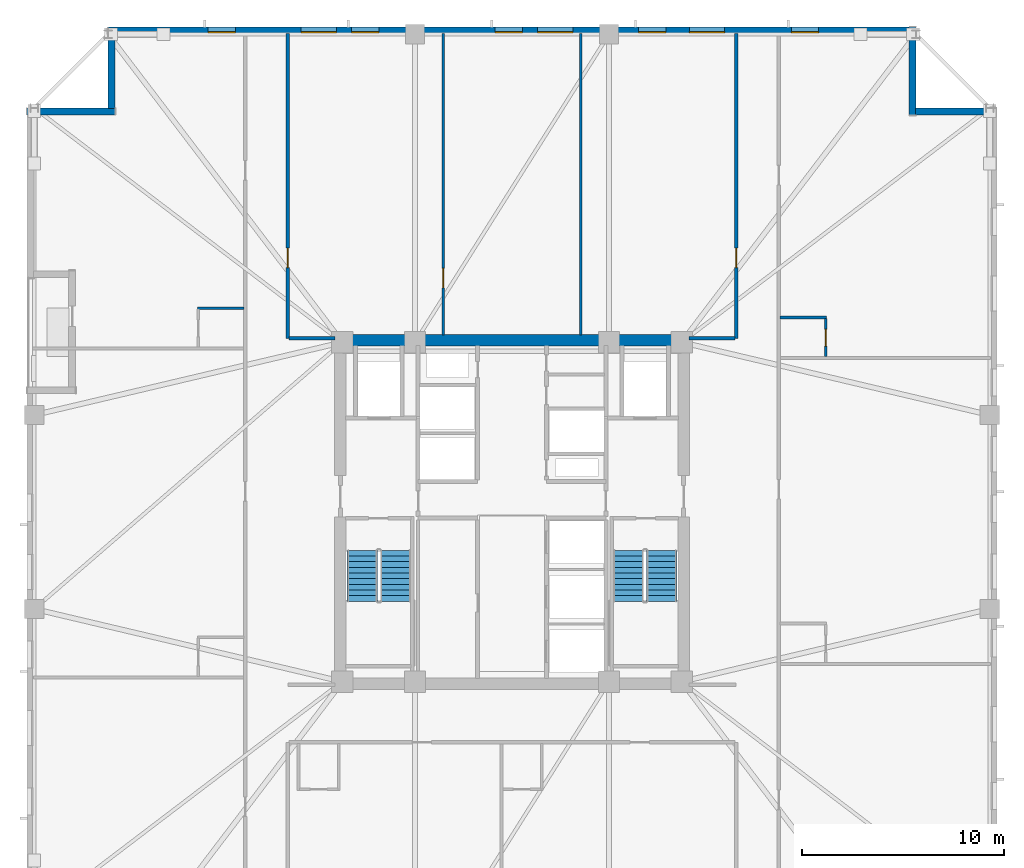
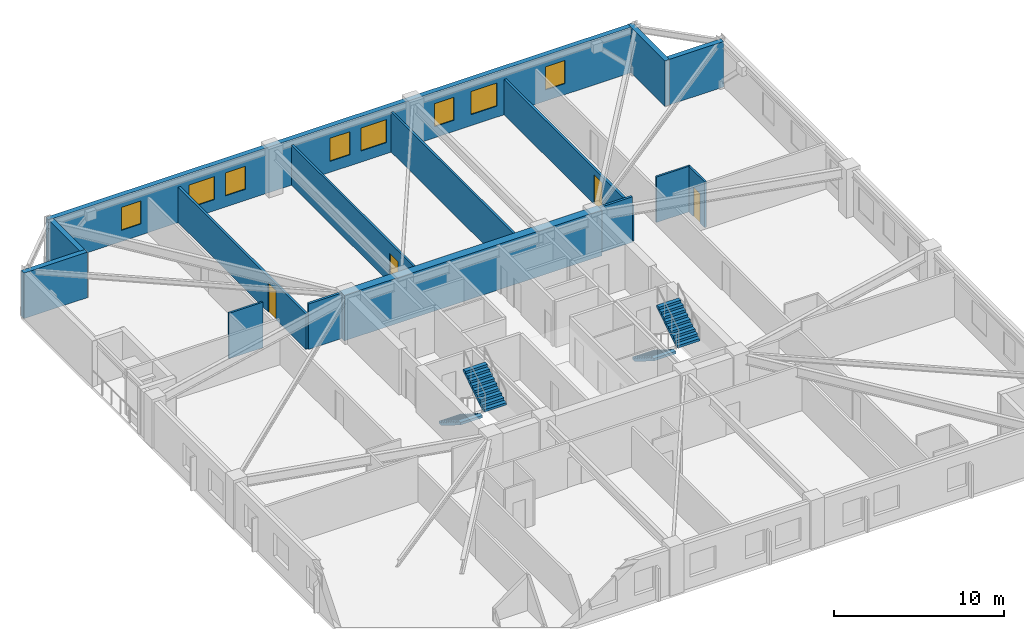
# One storey, part 5 of 10: 15 walls, 8 windows, 4 doors, 4 stair flights, 12 openings, 2 elements without a shape of their own.
"""IFC4 building model written with IfcOpenShell, lengths in metres."""

from ifc_helpers import new_model, si_unit, direction, frame, frame_2d, origin, place, context, subcontext, project, spatial, polyline, rectangle, outline, extrude, material, layer, layer_set, type_object, element, fill, aggregate, save


model = new_model("IFC4")

# Units and contexts
model_context = context("Model", 3, precision=1e-05, world=origin(), true_north=direction((0.0, 1.0)))
body_context = subcontext(model_context, "Body", "Model", "MODEL_VIEW")
ifc_project = project(units=[si_unit("LENGTHUNIT", "METRE"), si_unit("AREAUNIT", "SQUARE_METRE"), si_unit("VOLUMEUNIT", "CUBIC_METRE"), si_unit("PLANEANGLEUNIT", "RADIAN"), si_unit("MASSUNIT", "GRAM", prefix="KILO")], contexts=[model_context])

# Site, building, storey
site_placement = place(None, origin())
site = spatial("IfcSite", under=ifc_project, at=site_placement, CompositionType="ELEMENT")
building_placement = place(site_placement, origin())
building = spatial("IfcBuilding", under=site, at=building_placement, Name="Cairnveth Concourse Tower", CompositionType="ELEMENT")
storey_placement = place(building_placement, frame((0.0, 0.0, 113.0)))
storey = spatial("IfcBuildingStorey", under=building, at=storey_placement, Name="L30", CompositionType="ELEMENT", Elevation=113.0)

# Wall, opening, door
ifc_material_1 = material(Name="Gypsum Plasterboard Partition", Category="gypsum")
ifc_layer_1 = layer(ifc_material_1, 0.159912109375)
ifc_layer_set_1 = layer_set([ifc_layer_1], Name="Gypsum Plasterboard Partition")
wall_type_1 = type_object("IfcWallType", Name="ACOUSTIC PARTY WALL 180", PredefinedType="PARTITIONING", material=ifc_layer_set_1)
wall_1_placement = place(storey_placement, frame((40.89990234375, 47.60009765625, 0.0), z_axis=(0.0, 0.0, 1.0), x_axis=(0.0, 1.0, 0.0)))
wall_1 = element("IfcWall", 1, at=wall_1_placement, inside=storey, type_object=wall_type_1, Name="Interior Wall IW-L30-038", PredefinedType="PARTITIONING", context=body_context, shape_type="SweptSolid", body=[
    extrude(rectangle(XDim=15.074951171875, YDim=0.159912109375, at=frame_2d((7.53759765625, 0.0))), origin(), (0.0, 0.0, 1.0), 2.554931640625),
])
opening_1_placement = place(wall_1_placement, frame((3.5, 0.0, 0.0)))
opening_1 = element("IfcOpeningElement", 2, at=opening_1_placement, cuts=wall_1, Name="Opening ID11", PredefinedType="OPENING", context=body_context, shape_type="SweptSolid", body=[
    extrude(rectangle(XDim=0.9599609375, YDim=2.1201171875, at=frame_2d((0.47998046875, 1.06005859375))), frame((0.0, 0.08984375, 0.0), z_axis=(0.0, -1.0, 0.0), x_axis=(1.0, 0.0, 0.0)), (0.0, 0.0, 1.0), 0.179931640625),
])
ifc_material_2 = material(Name="Solid Core Hardwood Timber Leaf", Category="wood")
door_type_1 = type_object("IfcDoorType", Name="INTERIOR SINGLE DOOR 960X2150", OperationType="NOTDEFINED", PredefinedType="DOOR", material=ifc_material_2)
door_1_placement = place(opening_1_placement, origin())
door_1 = element("IfcDoor", 3, at=door_1_placement, inside=storey, type_object=door_type_1, Name="Interior Door DR-L30-015", OperationType="SINGLE_SWING_LEFT", OverallHeight=2.1201171875, OverallWidth=0.9599609375, PredefinedType="DOOR", context=body_context, shape_type="SweptSolid", body=[
    extrude(rectangle(XDim=0.9599609375, YDim=2.1201171875, at=frame_2d((0.47998046875, 1.06005859375))), frame((0.0, 0.02490234375, 0.0), z_axis=(0.0, -1.0, 0.0), x_axis=(1.0, 0.0, 0.0)), (0.0, 0.0, 1.0), 0.050048828125),
])
fill(opening_1, door_1)

# Wall
wall_2_placement = place(storey_placement, frame((40.965087890625, 47.60009765625, 0.0), z_axis=(0.0, 0.0, 1.0), x_axis=(1.0, 0.0, 0.0)))
element("IfcWall", 4, at=wall_2_placement, inside=storey, type_object=wall_type_1, Name="Interior Wall IW-L30-040", PredefinedType="PARTITIONING", context=body_context, shape_type="SweptSolid", body=[
    extrude(rectangle(XDim=2.27001953125, YDim=0.159912109375, at=frame_2d((1.135009765625, 0.0))), origin(), (0.0, 0.0, 1.0), 3.280029296875),
])

# Wall, opening, door
wall_3_placement = place(storey_placement, frame((63.10009765625, 47.60009765625, 0.0), z_axis=(0.0, 0.0, 1.0), x_axis=(0.0, 1.0, 0.0)))
wall_3 = element("IfcWall", 5, at=wall_3_placement, inside=storey, type_object=wall_type_1, Name="Interior Wall IW-L30-043", PredefinedType="PARTITIONING", context=body_context, shape_type="SweptSolid", body=[
    extrude(rectangle(XDim=15.074951171875, YDim=0.159912109375, at=frame_2d((7.53759765625, 0.0))), origin(), (0.0, 0.0, 1.0), 2.554931640625),
])
opening_2_placement = place(wall_3_placement, frame((3.5, 0.0, 0.0)))
opening_2 = element("IfcOpeningElement", 6, at=opening_2_placement, cuts=wall_3, Name="Opening ID11", PredefinedType="OPENING", context=body_context, shape_type="SweptSolid", body=[
    extrude(rectangle(XDim=0.9599609375, YDim=2.1201171875, at=frame_2d((0.47998046875, 1.06005859375))), frame((0.0, 0.08984375, 0.0), z_axis=(0.0, -1.0, 0.0), x_axis=(1.0, 0.0, 0.0)), (0.0, 0.0, 1.0), 0.179931640625),
])
door_2_placement = place(opening_2_placement, origin())
door_2 = element("IfcDoor", 7, at=door_2_placement, inside=storey, type_object=door_type_1, Name="Interior Door DR-L30-016", OperationType="SINGLE_SWING_RIGHT", OverallHeight=2.1201171875, OverallWidth=0.9599609375, PredefinedType="DOOR", context=body_context, shape_type="SweptSolid", body=[
    extrude(rectangle(XDim=0.9599609375, YDim=2.1201171875, at=frame_2d((0.47998046875, 1.06005859375))), frame((0.0, 0.02490234375, 0.0), z_axis=(0.0, -1.0, 0.0), x_axis=(1.0, 0.0, 0.0)), (0.0, 0.0, 1.0), 0.050048828125),
])
fill(opening_2, door_2)

# Walls
wall_4_placement = place(storey_placement, frame((60.764892578125, 47.60009765625, 0.0), z_axis=(0.0, 0.0, 1.0), x_axis=(1.0, 0.0, 0.0)))
element("IfcWall", 8, at=wall_4_placement, inside=storey, type_object=wall_type_1, Name="Interior Wall IW-L30-045", PredefinedType="PARTITIONING", context=body_context, shape_type="SweptSolid", body=[
    extrude(rectangle(XDim=2.27001953125, YDim=0.159912109375, at=frame_2d((1.135009765625, 0.0))), origin(), (0.0, 0.0, 1.0), 3.280029296875),
])
ifc_material_3 = material(Name="Concrete N80 (80 MPa)", Category="concrete")
ifc_layer_2 = layer(ifc_material_3, 0.550048828125)
ifc_layer_set_2 = layer_set([ifc_layer_2], Name="Concrete N80 (80 MPa)")
wall_type_2 = type_object("IfcWallType", Name="CORE SHEAR WALL 550", PredefinedType="SHEAR", material=ifc_layer_set_2)
wall_5_placement = place(storey_placement, frame((43.22509765625, 47.5, 0.0), z_axis=(0.0, 0.0, 1.0), x_axis=(1.0, 0.0, 0.0)))
element("IfcWall", 9, at=wall_5_placement, inside=storey, type_object=wall_type_2, Name="Core North Shear Wall L30", PredefinedType="SHEAR", context=body_context, shape_type="SweptSolid", body=[
    extrude(rectangle(XDim=17.5498046875, YDim=0.550048828125, at=frame_2d((8.77490234375, 0.0))), origin(), (0.0, 0.0, 1.0), 3.280029296875),
])

# Wall, opening, door
ifc_layer_3 = layer(ifc_material_1, 0.139892578125)
ifc_layer_set_3 = layer_set([ifc_layer_3], Name="Gypsum Plasterboard Partition")
wall_type_3 = type_object("IfcWallType", Name="GYPSUM STUD PARTITION 140", PredefinedType="PARTITIONING", material=ifc_layer_set_3)
wall_6_placement = place(storey_placement, frame((48.60009765625, 47.760009765625, 0.0), z_axis=(0.0, 0.0, 1.0), x_axis=(0.0, 1.0, 0.0)))
wall_6 = element("IfcWall", 10, at=wall_6_placement, inside=storey, type_object=wall_type_3, Name="Interior Wall IW-L30-047", PredefinedType="PARTITIONING", context=body_context, shape_type="SweptSolid", body=[
    extrude(rectangle(XDim=14.9150390625, YDim=0.139892578125, at=frame_2d((7.45751953125, 0.0))), origin(), (0.0, 0.0, 1.0), 2.89599609375),
])
opening_3_placement = place(wall_6_placement, frame((2.340087890625, 0.0, 0.0)))
opening_3 = element("IfcOpeningElement", 11, at=opening_3_placement, cuts=wall_6, Name="Opening ID11", PredefinedType="OPENING", context=body_context, shape_type="SweptSolid", body=[
    extrude(rectangle(XDim=0.9599609375, YDim=2.1201171875, at=frame_2d((0.47998046875, 1.06005859375))), frame((0.0, 0.079833984375, 0.0), z_axis=(0.0, -1.0, 0.0), x_axis=(1.0, 0.0, 0.0)), (0.0, 0.0, 1.0), 0.159912109375),
])
door_3_placement = place(opening_3_placement, origin())
door_3 = element("IfcDoor", 12, at=door_3_placement, inside=storey, type_object=door_type_1, Name="Interior Door DR-L30-017", OperationType="SINGLE_SWING_LEFT", OverallHeight=2.1201171875, OverallWidth=0.9599609375, PredefinedType="DOOR", context=body_context, shape_type="SweptSolid", body=[
    extrude(rectangle(XDim=0.9599609375, YDim=2.1201171875, at=frame_2d((0.47998046875, 1.06005859375))), frame((0.0, 0.02490234375, 0.0), z_axis=(0.0, -1.0, 0.0), x_axis=(1.0, 0.0, 0.0)), (0.0, 0.0, 1.0), 0.050048828125),
])
fill(opening_3, door_3)

# Walls
wall_7_placement = place(storey_placement, frame((55.39990234375, 47.760009765625, 0.0), z_axis=(0.0, 0.0, 1.0), x_axis=(0.0, 1.0, 0.0)))
element("IfcWall", 13, at=wall_7_placement, inside=storey, type_object=wall_type_3, Name="Interior Wall IW-L30-048", PredefinedType="PARTITIONING", context=body_context, shape_type="SweptSolid", body=[
    extrude(rectangle(XDim=14.9150390625, YDim=0.139892578125, at=frame_2d((7.45751953125, 0.0))), origin(), (0.0, 0.0, 1.0), 2.89599609375),
])
ifc_layer_4 = layer(ifc_material_1, 0.1298828125)
ifc_layer_set_4 = layer_set([ifc_layer_4], Name="Gypsum Plasterboard Partition")
wall_type_4 = type_object("IfcWallType", Name="WET AREA PARTITION 140", PredefinedType="PLUMBINGWALL", material=ifc_layer_set_4)
for number, where, z_axis, x_axis, name in (
    (14, (36.419921875, 49.093994140625, 0.0), (0.0, 0.0, 1.0), (1.0, 0.0, 0.0), "Interior Wall IW-L30-062"),
    (15, (65.264892578125, 48.6259765625, 0.0), (0.0, 0.0, 1.0), (1.0, 0.0, 0.0), "Interior Wall IW-L30-071"),
):
    element("IfcWall", number, at=place(storey_placement, frame(where, z_axis=z_axis, x_axis=x_axis)), inside=storey, type_object=wall_type_4, Name=name, PredefinedType="PLUMBINGWALL", context=body_context, shape_type="SweptSolid", body=[
        extrude(rectangle(XDim=2.315185546875, YDim=0.1298828125, at=frame_2d((1.15771484375, 0.0))), origin(), (0.0, 0.0, 1.0), 3.280029296875),
    ])

# Wall, opening, door
wall_8_placement = place(storey_placement, frame((67.530029296875, 46.69091796875, 0.0), z_axis=(0.0, 0.0, 1.0), x_axis=(0.0, 1.0, 0.0)))
wall_8 = element("IfcWall", 16, at=wall_8_placement, inside=storey, type_object=wall_type_4, Name="Interior Wall IW-L30-072", PredefinedType="PLUMBINGWALL", context=body_context, shape_type="SweptSolid", body=[
    extrude(rectangle(XDim=1.885009765625, YDim=0.1298828125, at=frame_2d((0.9423828125, 0.0))), origin(), (0.0, 0.0, 1.0), 3.280029296875),
])
opening_4_placement = place(wall_8_placement, frame((0.52490234375, 0.0, 0.0)))
opening_4 = element("IfcOpeningElement", 17, at=opening_4_placement, cuts=wall_8, Name="Opening ID22", PredefinedType="OPENING", context=body_context, shape_type="SweptSolid", body=[
    extrude(rectangle(XDim=0.820068359375, YDim=2.10009765625, at=frame_2d((0.41015625, 1.050048828125))), frame((0.0, 0.074951171875, 0.0), z_axis=(0.0, -1.0, 0.0), x_axis=(1.0, 0.0, 0.0)), (0.0, 0.0, 1.0), 0.14990234375),
])
door_type_2 = type_object("IfcDoorType", Name="INTERIOR WC DOOR 820X2100", OperationType="NOTDEFINED", PredefinedType="DOOR", material=ifc_material_2)
door_4_placement = place(opening_4_placement, origin())
door_4 = element("IfcDoor", 18, at=door_4_placement, inside=storey, type_object=door_type_2, Name="En-Suite Door L30-E3", OperationType="SINGLE_SWING_RIGHT", OverallHeight=2.10009765625, OverallWidth=0.820068359375, PredefinedType="DOOR", context=body_context, shape_type="SweptSolid", body=[
    extrude(rectangle(XDim=0.820068359375, YDim=2.10009765625, at=frame_2d((0.41015625, 1.050048828125))), frame((0.0, 0.02490234375, 0.0), z_axis=(0.0, -1.0, 0.0), x_axis=(1.0, 0.0, 0.0)), (0.0, 0.0, 1.0), 0.050048828125),
])
fill(opening_4, door_4)

# Walls
ifc_material_4 = material(Name="Hawthorn Red-Ochre Fired Clay Brick Masonry", Category="masonry")
ifc_layer_5 = layer(ifc_material_4, 0.340087890625)
ifc_layer_set_5 = layer_set([ifc_layer_5], Name="Hawthorn Red-Ochre Fired Clay Brick Masonry")
wall_type_5 = type_object("IfcWallType", Name="ZONE 2 BRICK PIER SPANDREL WALL 340", PredefinedType="SOLIDWALL", material=ifc_layer_set_5)
wall_9_placement = place(storey_placement, frame((28.0, 58.830078125, 0.0), z_axis=(0.0, 0.0, 1.0), x_axis=(1.0, 0.0, 0.0)))
element("IfcWall", 19, at=wall_9_placement, inside=storey, type_object=wall_type_5, Name="Exterior Wall EW-L30-S01", PredefinedType="SOLIDWALL", context=body_context, shape_type="SweptSolid", body=[
    extrude(rectangle(XDim=4.340087890625, YDim=0.340087890625, at=frame_2d((2.169921875, 0.0))), origin(), (0.0, 0.0, 1.0), 3.280029296875),
])
wall_10_placement = place(storey_placement, frame((32.169921875, 58.97802734375, 0.0), z_axis=(0.0, 0.0, 1.0), x_axis=(0.0, 1.0, 0.0)))
element("IfcWall", 20, at=wall_10_placement, inside=storey, type_object=wall_type_5, Name="Exterior Wall EW-L30-S02", PredefinedType="SOLIDWALL", context=body_context, shape_type="SweptSolid", body=[
    extrude(rectangle(XDim=3.703857421875, YDim=0.340087890625, at=frame_2d((1.85205078125, 0.0))), origin(), (0.0, 0.0, 1.0), 3.280029296875),
])

# Wall, openings, windows
wall_11_placement = place(storey_placement, frame((32.0, 62.830078125, 0.0), z_axis=(0.0, 0.0, 1.0), x_axis=(1.0, 0.0, 0.0)))
wall_11 = element("IfcWall", 21, at=wall_11_placement, inside=storey, type_object=wall_type_5, Name="Exterior Wall EW-L30-S03", PredefinedType="SOLIDWALL", context=body_context, shape_type="SweptSolid", body=[
    extrude(rectangle(XDim=39.681884765625, YDim=0.340087890625, at=frame_2d((19.8408203125, 0.0))), origin(), (0.0, 0.0, 1.0), 3.280029296875),
])
opening_5_placement = place(wall_11_placement, frame((4.951904296875, 0.0, 0.800048828125)))
opening_5 = element("IfcOpeningElement", 22, at=opening_5_placement, cuts=wall_11, Name="Opening W02", PredefinedType="OPENING", context=body_context, shape_type="SweptSolid", body=[
    extrude(rectangle(XDim=1.35009765625, YDim=1.659912109375, at=frame_2d((0.675048828125, 0.830078125))), frame((0.0, 0.179931640625, 0.0), z_axis=(0.0, -1.0, 0.0), x_axis=(1.0, 0.0, 0.0)), (0.0, 0.0, 1.0), 0.360107421875),
])
opening_6_placement = place(wall_11_placement, frame((9.555419921875, 0.0, 0.800048828125)))
opening_6 = element("IfcOpeningElement", 23, at=opening_6_placement, cuts=wall_11, Name="Opening W06", PredefinedType="OPENING", context=body_context, shape_type="SweptSolid", body=[
    extrude(rectangle(XDim=1.75, YDim=1.659912109375, at=frame_2d((0.875, 0.830078125))), frame((0.0, 0.179931640625, 0.0), z_axis=(0.0, -1.0, 0.0), x_axis=(1.0, 0.0, 0.0)), (0.0, 0.0, 1.0), 0.360107421875),
])
opening_7_placement = place(wall_11_placement, frame((12.058837890625, 0.0, 0.800048828125)))
opening_7 = element("IfcOpeningElement", 24, at=opening_7_placement, cuts=wall_11, Name="Opening W02", PredefinedType="OPENING", context=body_context, shape_type="SweptSolid", body=[
    extrude(rectangle(XDim=1.35009765625, YDim=1.659912109375, at=frame_2d((0.675048828125, 0.830078125))), frame((0.0, 0.179931640625, 0.0), z_axis=(0.0, -1.0, 0.0), x_axis=(1.0, 0.0, 0.0)), (0.0, 0.0, 1.0), 0.360107421875),
])
opening_8_placement = place(wall_11_placement, frame((19.166015625, 0.0, 0.800048828125)))
opening_8 = element("IfcOpeningElement", 25, at=opening_8_placement, cuts=wall_11, Name="Opening W02", PredefinedType="OPENING", context=body_context, shape_type="SweptSolid", body=[
    extrude(rectangle(XDim=1.35009765625, YDim=1.659912109375, at=frame_2d((0.675048828125, 0.830078125))), frame((0.0, 0.179931640625, 0.0), z_axis=(0.0, -1.0, 0.0), x_axis=(1.0, 0.0, 0.0)), (0.0, 0.0, 1.0), 0.360107421875),
])
opening_9_placement = place(wall_11_placement, frame((21.26953125, 0.0, 0.800048828125)))
opening_9 = element("IfcOpeningElement", 26, at=opening_9_placement, cuts=wall_11, Name="Opening W06", PredefinedType="OPENING", context=body_context, shape_type="SweptSolid", body=[
    extrude(rectangle(XDim=1.75, YDim=1.659912109375, at=frame_2d((0.875, 0.830078125))), frame((0.0, 0.179931640625, 0.0), z_axis=(0.0, -1.0, 0.0), x_axis=(1.0, 0.0, 0.0)), (0.0, 0.0, 1.0), 0.360107421875),
])
opening_10_placement = place(wall_11_placement, frame((26.273193359375, 0.0, 0.800048828125)))
opening_10 = element("IfcOpeningElement", 27, at=opening_10_placement, cuts=wall_11, Name="Opening W02", PredefinedType="OPENING", context=body_context, shape_type="SweptSolid", body=[
    extrude(rectangle(XDim=1.35009765625, YDim=1.659912109375, at=frame_2d((0.675048828125, 0.830078125))), frame((0.0, 0.179931640625, 0.0), z_axis=(0.0, -1.0, 0.0), x_axis=(1.0, 0.0, 0.0)), (0.0, 0.0, 1.0), 0.360107421875),
])
opening_11_placement = place(wall_11_placement, frame((28.776611328125, 0.0, 0.800048828125)))
opening_11 = element("IfcOpeningElement", 28, at=opening_11_placement, cuts=wall_11, Name="Opening W06", PredefinedType="OPENING", context=body_context, shape_type="SweptSolid", body=[
    extrude(rectangle(XDim=1.75, YDim=1.659912109375, at=frame_2d((0.875, 0.830078125))), frame((0.0, 0.179931640625, 0.0), z_axis=(0.0, -1.0, 0.0), x_axis=(1.0, 0.0, 0.0)), (0.0, 0.0, 1.0), 0.360107421875),
])
opening_12_placement = place(wall_11_placement, frame((33.830078125, 0.0, 0.800048828125)))
opening_12 = element("IfcOpeningElement", 29, at=opening_12_placement, cuts=wall_11, Name="Opening W02", PredefinedType="OPENING", context=body_context, shape_type="SweptSolid", body=[
    extrude(rectangle(XDim=1.35009765625, YDim=1.659912109375, at=frame_2d((0.675048828125, 0.830078125))), frame((0.0, 0.179931640625, 0.0), z_axis=(0.0, -1.0, 0.0), x_axis=(1.0, 0.0, 0.0)), (0.0, 0.0, 1.0), 0.360107421875),
])
ifc_material_5 = material(Name="Double Glazed Low-E Clear Glass", Category="glass")
window_type_1 = type_object("IfcWindowType", Name="DEEP-SET GOTHIC LANCET WINDOW 1350X1800", PartitioningType="DOUBLE_PANEL_VERTICAL", PredefinedType="WINDOW", material=ifc_material_5)
window_1_placement = place(opening_5_placement, origin())
window_1 = element("IfcWindow", 30, at=window_1_placement, inside=storey, type_object=window_type_1, Name="Gothic Lancet Window L30-3-1", OverallHeight=1.659912109375, OverallWidth=1.35009765625, PartitioningType="SINGLE_PANEL", PredefinedType="WINDOW", context=body_context, shape_type="SweptSolid", body=[
    extrude(rectangle(XDim=1.35009765625, YDim=1.659912109375, at=frame_2d((0.675048828125, 0.830078125))), frame((0.0, -0.050048828125, 0.0), z_axis=(0.0, -1.0, 0.0), x_axis=(1.0, 0.0, 0.0)), (0.0, 0.0, 1.0), 0.06005859375),
])
fill(opening_5, window_1)
window_2_placement = place(opening_7_placement, origin())
window_2 = element("IfcWindow", 31, at=window_2_placement, inside=storey, type_object=window_type_1, Name="Gothic Lancet Window L30-3-3", OverallHeight=1.659912109375, OverallWidth=1.35009765625, PartitioningType="SINGLE_PANEL", PredefinedType="WINDOW", context=body_context, shape_type="SweptSolid", body=[
    extrude(rectangle(XDim=1.35009765625, YDim=1.659912109375, at=frame_2d((0.675048828125, 0.830078125))), frame((0.0, -0.050048828125, 0.0), z_axis=(0.0, -1.0, 0.0), x_axis=(1.0, 0.0, 0.0)), (0.0, 0.0, 1.0), 0.06005859375),
])
fill(opening_7, window_2)
window_3_placement = place(opening_8_placement, origin())
window_3 = element("IfcWindow", 32, at=window_3_placement, inside=storey, type_object=window_type_1, Name="Gothic Lancet Window L30-3-5", OverallHeight=1.659912109375, OverallWidth=1.35009765625, PartitioningType="SINGLE_PANEL", PredefinedType="WINDOW", context=body_context, shape_type="SweptSolid", body=[
    extrude(rectangle(XDim=1.35009765625, YDim=1.659912109375, at=frame_2d((0.675048828125, 0.830078125))), frame((0.0, -0.050048828125, 0.0), z_axis=(0.0, -1.0, 0.0), x_axis=(1.0, 0.0, 0.0)), (0.0, 0.0, 1.0), 0.06005859375),
])
fill(opening_8, window_3)
window_4_placement = place(opening_10_placement, origin())
window_4 = element("IfcWindow", 33, at=window_4_placement, inside=storey, type_object=window_type_1, Name="Gothic Lancet Window L30-3-7", OverallHeight=1.659912109375, OverallWidth=1.35009765625, PartitioningType="SINGLE_PANEL", PredefinedType="WINDOW", context=body_context, shape_type="SweptSolid", body=[
    extrude(rectangle(XDim=1.35009765625, YDim=1.659912109375, at=frame_2d((0.675048828125, 0.830078125))), frame((0.0, -0.050048828125, 0.0), z_axis=(0.0, -1.0, 0.0), x_axis=(1.0, 0.0, 0.0)), (0.0, 0.0, 1.0), 0.06005859375),
])
fill(opening_10, window_4)
window_5_placement = place(opening_12_placement, origin())
window_5 = element("IfcWindow", 34, at=window_5_placement, inside=storey, type_object=window_type_1, Name="Gothic Lancet Window L30-3-9", OverallHeight=1.659912109375, OverallWidth=1.35009765625, PartitioningType="SINGLE_PANEL", PredefinedType="WINDOW", context=body_context, shape_type="SweptSolid", body=[
    extrude(rectangle(XDim=1.35009765625, YDim=1.659912109375, at=frame_2d((0.675048828125, 0.830078125))), frame((0.0, -0.050048828125, 0.0), z_axis=(0.0, -1.0, 0.0), x_axis=(1.0, 0.0, 0.0)), (0.0, 0.0, 1.0), 0.06005859375),
])
fill(opening_12, window_5)
window_type_2 = type_object("IfcWindowType", Name="DEEP-SET HOTEL SUITE WINDOW 1750X1800", PartitioningType="DOUBLE_PANEL_VERTICAL", PredefinedType="WINDOW", material=ifc_material_5)
window_6_placement = place(opening_6_placement, origin())
window_6 = element("IfcWindow", 35, at=window_6_placement, inside=storey, type_object=window_type_2, Name="Gothic Lancet Window L30-3-2", OverallHeight=1.659912109375, OverallWidth=1.75, PartitioningType="SINGLE_PANEL", PredefinedType="WINDOW", context=body_context, shape_type="SweptSolid", body=[
    extrude(rectangle(XDim=1.75, YDim=1.659912109375, at=frame_2d((0.875, 0.830078125))), frame((0.0, -0.050048828125, 0.0), z_axis=(0.0, -1.0, 0.0), x_axis=(1.0, 0.0, 0.0)), (0.0, 0.0, 1.0), 0.06005859375),
])
fill(opening_6, window_6)
window_7_placement = place(opening_9_placement, origin())
window_7 = element("IfcWindow", 36, at=window_7_placement, inside=storey, type_object=window_type_2, Name="Gothic Lancet Window L30-3-6", OverallHeight=1.659912109375, OverallWidth=1.75, PartitioningType="SINGLE_PANEL", PredefinedType="WINDOW", context=body_context, shape_type="SweptSolid", body=[
    extrude(rectangle(XDim=1.75, YDim=1.659912109375, at=frame_2d((0.875, 0.830078125))), frame((0.0, -0.050048828125, 0.0), z_axis=(0.0, -1.0, 0.0), x_axis=(1.0, 0.0, 0.0)), (0.0, 0.0, 1.0), 0.06005859375),
])
fill(opening_9, window_7)
window_8_placement = place(opening_11_placement, origin())
window_8 = element("IfcWindow", 37, at=window_8_placement, inside=storey, type_object=window_type_2, Name="Gothic Lancet Window L30-3-8", OverallHeight=1.659912109375, OverallWidth=1.75, PartitioningType="SINGLE_PANEL", PredefinedType="WINDOW", context=body_context, shape_type="SweptSolid", body=[
    extrude(rectangle(XDim=1.75, YDim=1.659912109375, at=frame_2d((0.875, 0.830078125))), frame((0.0, -0.050048828125, 0.0), z_axis=(0.0, -1.0, 0.0), x_axis=(1.0, 0.0, 0.0)), (0.0, 0.0, 1.0), 0.06005859375),
])
fill(opening_11, window_8)

# Walls
wall_12_placement = place(storey_placement, frame((71.830078125, 63.0, 0.0), z_axis=(0.0, 0.0, 1.0), x_axis=(0.0, -1.0, 0.0)))
element("IfcWall", 38, at=wall_12_placement, inside=storey, type_object=wall_type_5, Name="Exterior Wall EW-L30-S04", PredefinedType="SOLIDWALL", context=body_context, shape_type="SweptSolid", body=[
    extrude(rectangle(XDim=4.340087890625, YDim=0.340087890625, at=frame_2d((2.169921875, 0.0))), origin(), (0.0, 0.0, 1.0), 3.280029296875),
])
wall_13_placement = place(storey_placement, frame((71.97802734375, 58.830078125, 0.0), z_axis=(0.0, 0.0, 1.0), x_axis=(1.0, 0.0, 0.0)))
element("IfcWall", 39, at=wall_13_placement, inside=storey, type_object=wall_type_5, Name="Exterior Wall EW-L30-S05", PredefinedType="SOLIDWALL", context=body_context, shape_type="SweptSolid", body=[
    extrude(rectangle(XDim=3.703857421875, YDim=0.340087890625, at=frame_2d((1.85205078125, 0.0))), origin(), (0.0, 0.0, 1.0), 3.280029296875),
])

# Stair, stair flights
ifc_material_6 = material(Name="Precast concrete N50 (50 MPa)", Category="concrete")
stair_type = type_object("IfcStairType", Name="CORE DOG-LEG FIRE STAIR 1500", PredefinedType="HALF_TURN_STAIR", material=ifc_material_6)
stair_1_placement = place(storey_placement, origin())
stair_1 = element("IfcStair", 40, at=stair_1_placement, inside=storey, type_object=stair_type, Name="L30 Fire-Isolated Stair ST-1", PredefinedType="HALF_TURN_STAIR")
stair_flight_type = type_object("IfcStairFlightType", Name="PRECAST CONCRETE STAIR FLIGHT 1500", PredefinedType="STRAIGHT", material=ifc_material_6)
stair_flight_1_placement = place(storey_placement, frame((44.590087890625, 37.10009765625, 0.0), z_axis=(0.0, 0.0, 1.0), x_axis=(0.0, -1.0, 0.0)))
stair_flight_1 = element("IfcStairFlight", 41, at=stair_flight_1_placement, type_object=stair_flight_type, Name="ST-1 flight 1", NumberOfRisers=10, NumberOfTreads=9, PredefinedType="STRAIGHT", RiserHeight=0.175, TreadLength=0.28, context=body_context, shape_type="SweptSolid", body=[
    extrude(outline(polyline([(0.0, 0.0), (0.0, 0.175048828125), (0.280029296875, 0.175048828125), (0.280029296875, 0.35009765625), (0.56005859375, 0.35009765625), (0.56005859375, 0.52490234375), (0.840087890625, 0.52490234375), (0.840087890625, 0.699951171875), (1.1201171875, 0.699951171875), (1.1201171875, 0.875), (1.39990234375, 0.875), (1.39990234375, 1.050048828125), (1.679931640625, 1.050048828125), (1.679931640625, 1.22509765625), (1.9599609375, 1.22509765625), (1.9599609375, 1.39990234375), (2.239990234375, 1.39990234375), (2.239990234375, 1.574951171875), (2.52001953125, 1.574951171875), (2.52001953125, 1.75), (2.52001953125, 1.398193359375), (0.28271484375, 0.0), (0.0, 0.0)])), frame((0.0, 0.75, 0.0), z_axis=(0.0, -1.0, 0.0), x_axis=(1.0, 0.0, 0.0)), (0.0, 0.0, 1.0), 1.5),
])
stair_flight_2_placement = place(storey_placement, frame((46.22998046875, 34.580078125, 1.75), z_axis=(0.0, 0.0, 1.0), x_axis=(0.0, 1.0, 0.0)))
stair_flight_2 = element("IfcStairFlight", 42, at=stair_flight_2_placement, type_object=stair_flight_type, Name="ST-1 flight 2", NumberOfRisers=10, NumberOfTreads=9, PredefinedType="STRAIGHT", RiserHeight=0.175, TreadLength=0.28, context=body_context, shape_type="SweptSolid", body=[
    extrude(outline(polyline([(0.0, 0.0), (0.0, 0.175048828125), (0.280029296875, 0.175048828125), (0.280029296875, 0.35009765625), (0.56005859375, 0.35009765625), (0.56005859375, 0.52490234375), (0.840087890625, 0.52490234375), (0.840087890625, 0.699951171875), (1.1201171875, 0.699951171875), (1.1201171875, 0.875), (1.39990234375, 0.875), (1.39990234375, 1.050048828125), (1.679931640625, 1.050048828125), (1.679931640625, 1.22509765625), (1.9599609375, 1.22509765625), (1.9599609375, 1.39990234375), (2.239990234375, 1.39990234375), (2.239990234375, 1.574951171875), (2.52001953125, 1.574951171875), (2.52001953125, 1.75), (2.52001953125, 1.398193359375), (0.28271484375, 0.0), (0.0, 0.0)])), frame((0.0, 0.75, 0.0), z_axis=(0.0, -1.0, 0.0), x_axis=(1.0, 0.0, 0.0)), (0.0, 0.0, 1.0), 1.5),
])
aggregate(stair_1, [stair_flight_1, stair_flight_2])

stair_2_placement = place(storey_placement, origin())
stair_2 = element("IfcStair", 43, at=stair_2_placement, inside=storey, type_object=stair_type, Name="L30 Fire-Isolated Stair ST-2", PredefinedType="HALF_TURN_STAIR")
stair_flight_3_placement = place(storey_placement, frame((57.77001953125, 37.10009765625, 0.0), z_axis=(0.0, 0.0, 1.0), x_axis=(0.0, -1.0, 0.0)))
stair_flight_3 = element("IfcStairFlight", 44, at=stair_flight_3_placement, type_object=stair_flight_type, Name="ST-2 flight 1", NumberOfRisers=10, NumberOfTreads=9, PredefinedType="STRAIGHT", RiserHeight=0.175, TreadLength=0.28, context=body_context, shape_type="SweptSolid", body=[
    extrude(outline(polyline([(0.0, 0.0), (0.0, 0.175048828125), (0.280029296875, 0.175048828125), (0.280029296875, 0.35009765625), (0.56005859375, 0.35009765625), (0.56005859375, 0.52490234375), (0.840087890625, 0.52490234375), (0.840087890625, 0.699951171875), (1.1201171875, 0.699951171875), (1.1201171875, 0.875), (1.39990234375, 0.875), (1.39990234375, 1.050048828125), (1.679931640625, 1.050048828125), (1.679931640625, 1.22509765625), (1.9599609375, 1.22509765625), (1.9599609375, 1.39990234375), (2.239990234375, 1.39990234375), (2.239990234375, 1.574951171875), (2.52001953125, 1.574951171875), (2.52001953125, 1.75), (2.52001953125, 1.398193359375), (0.28271484375, 0.0), (0.0, 0.0)])), frame((0.0, 0.75, 0.0), z_axis=(0.0, -1.0, 0.0), x_axis=(1.0, 0.0, 0.0)), (0.0, 0.0, 1.0), 1.5),
])
stair_flight_4_placement = place(storey_placement, frame((59.409912109375, 34.580078125, 1.75), z_axis=(0.0, 0.0, 1.0), x_axis=(0.0, 1.0, 0.0)))
stair_flight_4 = element("IfcStairFlight", 45, at=stair_flight_4_placement, type_object=stair_flight_type, Name="ST-2 flight 2", NumberOfRisers=10, NumberOfTreads=9, PredefinedType="STRAIGHT", RiserHeight=0.175, TreadLength=0.28, context=body_context, shape_type="SweptSolid", body=[
    extrude(outline(polyline([(0.0, 0.0), (0.0, 0.175048828125), (0.280029296875, 0.175048828125), (0.280029296875, 0.35009765625), (0.56005859375, 0.35009765625), (0.56005859375, 0.52490234375), (0.840087890625, 0.52490234375), (0.840087890625, 0.699951171875), (1.1201171875, 0.699951171875), (1.1201171875, 0.875), (1.39990234375, 0.875), (1.39990234375, 1.050048828125), (1.679931640625, 1.050048828125), (1.679931640625, 1.22509765625), (1.9599609375, 1.22509765625), (1.9599609375, 1.39990234375), (2.239990234375, 1.39990234375), (2.239990234375, 1.574951171875), (2.52001953125, 1.574951171875), (2.52001953125, 1.75), (2.52001953125, 1.398193359375), (0.28271484375, 0.0), (0.0, 0.0)])), frame((0.0, 0.75, 0.0), z_axis=(0.0, -1.0, 0.0), x_axis=(1.0, 0.0, 0.0)), (0.0, 0.0, 1.0), 1.5),
])
aggregate(stair_2, [stair_flight_3, stair_flight_4])

save(model, "model.ifc")
